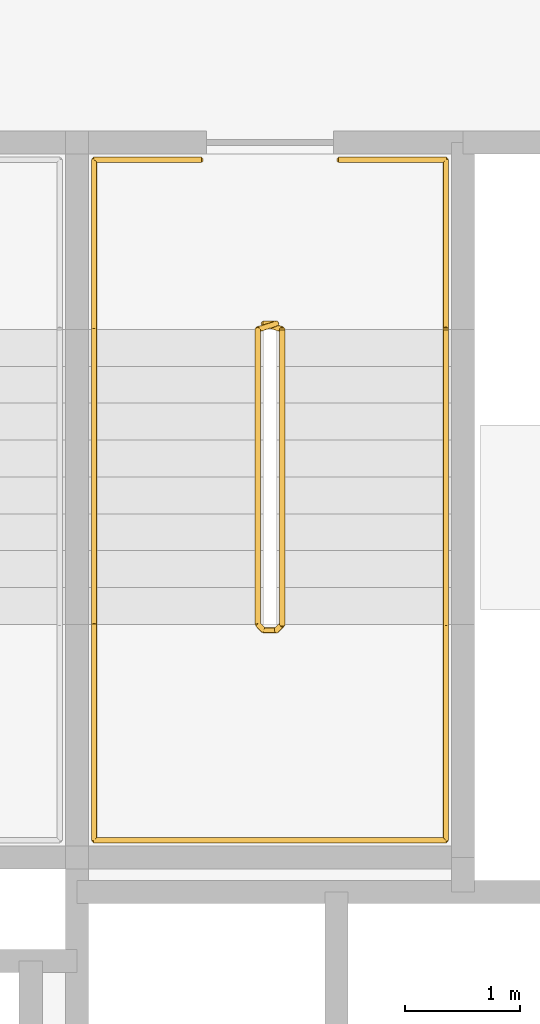
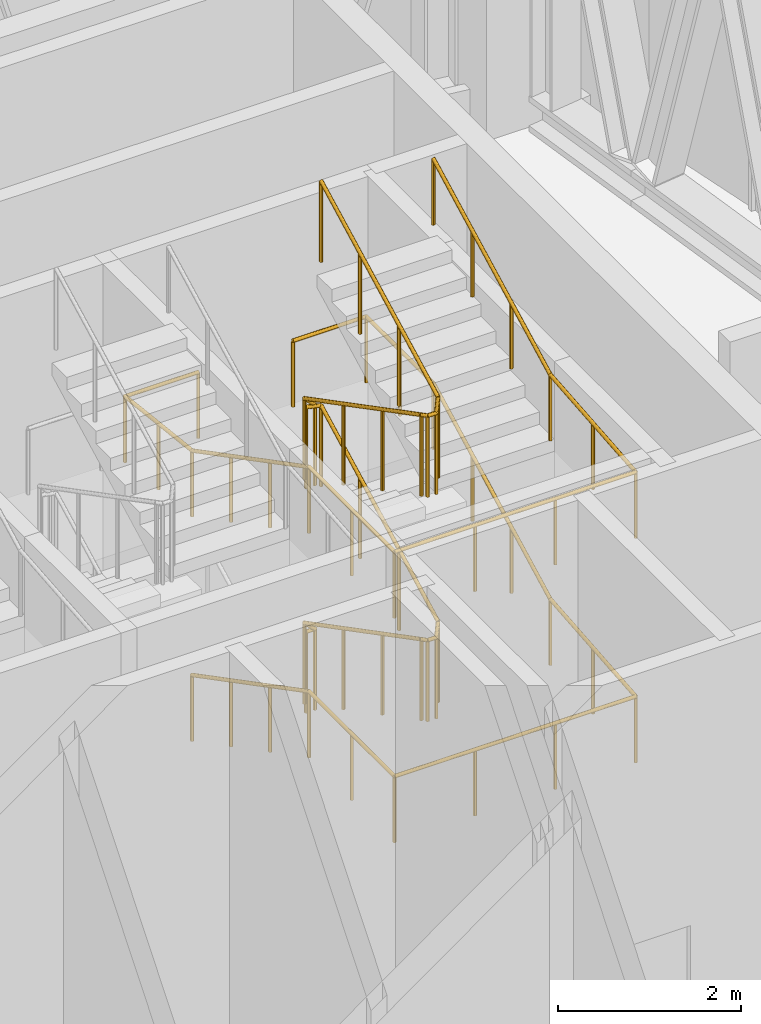
# One storey, part 14 of 14: 3 railings.
"""IFC4 building model written with IfcOpenShell, lengths in metres."""

from ifc_helpers import new_model, si_unit, direction, frame, origin, origin_2d, place, context, subcontext, project, spatial, circle, extrude, material, type_object, element, save


model = new_model("IFC4")

# Units and contexts
model_context = context("Model", 3, precision=1e-05, world=origin(), true_north=direction((0.0, 1.0)))
body_context = subcontext(model_context, "Body", "Model", "MODEL_VIEW")
ifc_project = project(units=[si_unit("LENGTHUNIT", "METRE"), si_unit("AREAUNIT", "SQUARE_METRE"), si_unit("VOLUMEUNIT", "CUBIC_METRE"), si_unit("PLANEANGLEUNIT", "RADIAN"), si_unit("MASSUNIT", "GRAM", prefix="KILO")], contexts=[model_context])

# Site, building, storey
site_placement = place(None, origin())
site = spatial("IfcSite", under=ifc_project, at=site_placement, CompositionType="ELEMENT")
building_placement = place(site_placement, origin())
building = spatial("IfcBuilding", under=site, at=building_placement, Name="Tessera Arch", CompositionType="ELEMENT")
storey_placement = place(building_placement, frame((0.0, 0.0, 295.199951171875)))
storey = spatial("IfcBuildingStorey", under=building, at=storey_placement, Name="L71", CompositionType="ELEMENT", Elevation=295.199951171875)

# Railings
ifc_material_1 = material(Name="Painted steel balustrade", Category="steel")
railing_type_1 = type_object("IfcRailingType", Name="Stair guard 1100", PredefinedType="GUARDRAIL", material=ifc_material_1)
railing_1_placement = place(storey_placement, frame((44.919921875, 43.6298828125, 0.0)))
element("IfcRailing", 1, at=railing_1_placement, inside=storey, type_object=railing_type_1, Name="L71 S1c stair guard 1", PredefinedType="GUARDRAIL", context=body_context, shape_type="SweptSolid", body=[
    extrude(circle(Radius=0.02392578125, at=origin_2d()), frame((-0.00390625, 0.0, 1.076171875), z_axis=(1.0, 0.0, 0.0), x_axis=(0.0, 1.0, 0.0)), (0.0, 0.0, 1.0), 0.1181640625),
    extrude(circle(Radius=0.02392578125, at=origin_2d()), frame((0.11279296875, 0.000732421875, 1.0732421875), z_axis=(-0.676614622933, -0.210731882562, 0.705538606814), x_axis=(0.297361876254, -0.954764847777, 0.0)), (0.0, 0.0, 1.0), 0.244384765625),
    extrude(circle(Radius=0.02392578125, at=origin_2d()), frame((-0.0498046875, -0.046142578125, 1.240966796875), z_axis=(0.0, -0.886929966286, 0.461903923888), x_axis=(1.0, 0.0, 0.0)), (0.0, 0.0, 1.0), 2.89453125),
    extrude(circle(Radius=0.02392578125, at=origin_2d()), frame((-0.052734375, -2.60693359375, 2.576171875), z_axis=(0.705375805398, -0.708833529934, 0.0), x_axis=(0.708833529934, 0.705375805398, 0.0)), (0.0, 0.0, 1.0), 0.07861328125),
    extrude(circle(Radius=0.02392578125, at=origin_2d()), frame((-0.00390625, -2.659912109375, 2.576171875), z_axis=(1.0, 0.0, 0.0), x_axis=(0.0, 1.0, 0.0)), (0.0, 0.0, 1.0), 0.1181640625),
    extrude(circle(Radius=0.02392578125, at=origin_2d()), frame((0.10888671875, -2.6611328125, 2.572265625), z_axis=(0.27628659633, 0.27628659633, 0.920506074601), x_axis=(-0.707106781187, 0.707106781187, 0.0)), (0.0, 0.0, 1.0), 0.189208984375),
    extrude(circle(Radius=0.02392578125, at=origin_2d()), frame((0.16015625, -2.613525390625, 2.740966796875), z_axis=(0.0, 0.886929966286, 0.461903923888), x_axis=(-1.0, 0.0, 0.0)), (0.0, 0.0, 1.0), 2.89453125),
    extrude(circle(Radius=0.02392578125, at=origin_2d()), frame((0.1640625, -0.051025390625, 4.076171875), z_axis=(-0.954893471113, 0.296948579431, 0.0), x_axis=(-0.296948579431, -0.954893471113, 0.0)), (0.0, 0.0, 1.0), 0.17578125),
    extrude(circle(Radius=0.02392578125, at=origin_2d()), frame((-0.00390625, 0.0, 4.076171875), z_axis=(1.0, 0.0, 0.0), x_axis=(0.0, 1.0, 0.0)), (0.0, 0.0, 1.0), 0.1181640625),
    extrude(circle(Radius=0.02392578125, at=origin_2d()), frame((0.11279296875, 0.000732421875, 4.0732421875), z_axis=(-0.676614622933, -0.210731882562, 0.705538606814), x_axis=(0.297361876254, -0.954764847777, 0.0)), (0.0, 0.0, 1.0), 0.244384765625),
    extrude(circle(Radius=0.02392578125, at=origin_2d()), frame((-0.0498046875, -0.046142578125, 4.240966796875), z_axis=(0.0, -0.886929966286, 0.461903923888), x_axis=(1.0, 0.0, 0.0)), (0.0, 0.0, 1.0), 2.89453125),
    extrude(circle(Radius=0.02392578125, at=origin_2d()), frame((-0.052734375, -2.60693359375, 5.576171875), z_axis=(0.705375805398, -0.708833529934, 0.0), x_axis=(0.708833529934, 0.705375805398, 0.0)), (0.0, 0.0, 1.0), 0.07861328125),
    extrude(circle(Radius=0.02392578125, at=origin_2d()), frame((-0.00390625, -2.659912109375, 5.576171875), z_axis=(1.0, 0.0, 0.0), x_axis=(0.0, 1.0, 0.0)), (0.0, 0.0, 1.0), 0.1181640625),
    extrude(circle(Radius=0.02392578125, at=origin_2d()), frame((0.10888671875, -2.6611328125, 5.572265625), z_axis=(0.27628659633, 0.27628659633, 0.920506074601), x_axis=(-0.707106781187, 0.707106781187, 0.0)), (0.0, 0.0, 1.0), 0.189208984375),
    extrude(circle(Radius=0.02392578125, at=origin_2d()), frame((0.16015625, -2.613525390625, 5.740966796875), z_axis=(0.0, 0.886929966286, 0.461903923888), x_axis=(-1.0, 0.0, 0.0)), (0.0, 0.0, 1.0), 2.89453125),
    extrude(circle(Radius=0.02099609375, at=origin_2d()), origin(), (0.0, 0.0, 1.0), 1.06396484375),
    extrude(circle(Radius=0.02099609375, at=origin_2d()), frame((0.110107421875, 0.0, 0.0)), (0.0, 0.0, 1.0), 1.06396484375),
    extrude(circle(Radius=0.02099609375, at=origin_2d()), frame((-0.0498046875, -0.0498046875, 0.166748046875)), (0.0, 0.0, 1.0), 1.06396484375),
    extrude(circle(Radius=0.02099609375, at=origin_2d()), frame((-0.0498046875, -0.903076171875, 0.611083984375)), (0.0, 0.0, 1.0), 1.06396484375),
    extrude(circle(Radius=0.02099609375, at=origin_2d()), frame((-0.0498046875, -1.756591796875, 1.0556640625)), (0.0, 0.0, 1.0), 1.06396484375),
    extrude(circle(Radius=0.02099609375, at=origin_2d()), frame((-0.0498046875, -2.60986328125, 1.5)), (0.0, 0.0, 1.0), 1.06396484375),
    extrude(circle(Radius=0.02099609375, at=origin_2d()), frame((0.0, -2.659912109375, 1.5)), (0.0, 0.0, 1.0), 1.06396484375),
    extrude(circle(Radius=0.02099609375, at=origin_2d()), frame((0.110107421875, -2.659912109375, 1.5)), (0.0, 0.0, 1.0), 1.06396484375),
    extrude(circle(Radius=0.02099609375, at=origin_2d()), frame((0.16015625, -2.60986328125, 1.666748046875)), (0.0, 0.0, 1.0), 1.06396484375),
    extrude(circle(Radius=0.02099609375, at=origin_2d()), frame((0.16015625, -1.756591796875, 2.111083984375)), (0.0, 0.0, 1.0), 1.06396484375),
    extrude(circle(Radius=0.02099609375, at=origin_2d()), frame((0.16015625, -0.903076171875, 2.5556640625)), (0.0, 0.0, 1.0), 1.06396484375),
    extrude(circle(Radius=0.02099609375, at=origin_2d()), frame((0.16015625, -0.0498046875, 3.0)), (0.0, 0.0, 1.0), 1.06396484375),
    extrude(circle(Radius=0.02099609375, at=origin_2d()), frame((0.0, 0.0, 3.0)), (0.0, 0.0, 1.0), 1.06396484375),
    extrude(circle(Radius=0.02099609375, at=origin_2d()), frame((0.110107421875, 0.0, 3.0)), (0.0, 0.0, 1.0), 1.06396484375),
    extrude(circle(Radius=0.02099609375, at=origin_2d()), frame((-0.0498046875, -0.0498046875, 3.166748046875)), (0.0, 0.0, 1.0), 1.06396484375),
    extrude(circle(Radius=0.02099609375, at=origin_2d()), frame((-0.0498046875, -0.903076171875, 3.611083984375)), (0.0, 0.0, 1.0), 1.06396484375),
    extrude(circle(Radius=0.02099609375, at=origin_2d()), frame((-0.0498046875, -1.756591796875, 4.0556640625)), (0.0, 0.0, 1.0), 1.06396484375),
    extrude(circle(Radius=0.02099609375, at=origin_2d()), frame((-0.0498046875, -2.60986328125, 4.5)), (0.0, 0.0, 1.0), 1.06396484375),
    extrude(circle(Radius=0.02099609375, at=origin_2d()), frame((0.0, -2.659912109375, 4.5)), (0.0, 0.0, 1.0), 1.06396484375),
    extrude(circle(Radius=0.02099609375, at=origin_2d()), frame((0.110107421875, -2.659912109375, 4.5)), (0.0, 0.0, 1.0), 1.06396484375),
    extrude(circle(Radius=0.02099609375, at=origin_2d()), frame((0.16015625, -2.60986328125, 4.666748046875)), (0.0, 0.0, 1.0), 1.06396484375),
    extrude(circle(Radius=0.02099609375, at=origin_2d()), frame((0.16015625, -1.756591796875, 5.111083984375)), (0.0, 0.0, 1.0), 1.06396484375),
    extrude(circle(Radius=0.02099609375, at=origin_2d()), frame((0.16015625, -0.903076171875, 5.5556640625)), (0.0, 0.0, 1.0), 1.06396484375),
    extrude(circle(Radius=0.02099609375, at=origin_2d()), frame((0.16015625, -0.0498046875, 6.0)), (0.0, 0.0, 1.0), 1.06396484375),
])
ifc_material_2 = material(Name="Painted steel handrail", Category="steel")
railing_type_2 = type_object("IfcRailingType", Name="Stair handrail 900", PredefinedType="HANDRAIL", material=ifc_material_2)
railing_2_placement = place(storey_placement, frame((43.449951171875, 43.580078125, 0.166748046875)))
element("IfcRailing", 2, at=railing_2_placement, inside=storey, type_object=railing_type_2, Name="L71 S1c stair handrail", PredefinedType="HANDRAIL", context=body_context, shape_type="SweptSolid", body=[
    extrude(circle(Radius=0.02392578125, at=origin_2d()), frame((0.0, 0.003662109375, 0.8740234375), z_axis=(0.0, -0.886929966286, 0.461903923888), x_axis=(1.0, 0.0, 0.0)), (0.0, 0.0, 1.0), 2.89453125),
    extrude(circle(Radius=0.02392578125, at=origin_2d()), frame((0.0, -2.55615234375, 2.208984375), z_axis=(0.0, -1.0, 0.0), x_axis=(1.0, 0.0, 0.0)), (0.0, 0.0, 1.0), 1.878173828125),
    extrude(circle(Radius=0.02392578125, at=origin_2d()), frame((-0.00390625, -4.43017578125, 2.208984375), z_axis=(1.0, 0.0, 0.0), x_axis=(0.0, 1.0, 0.0)), (0.0, 0.0, 1.0), 3.05810546875),
    extrude(circle(Radius=0.02392578125, at=origin_2d()), frame((3.050048828125, -4.43408203125, 2.208740234375), z_axis=(0.0, 0.996048393597, 0.088812147889), x_axis=(-1.0, 0.0, 0.0)), (0.0, 0.0, 1.0), 1.885498046875),
    extrude(circle(Radius=0.02392578125, at=origin_2d()), frame((3.050048828125, -2.563720703125, 2.3740234375), z_axis=(0.0, 0.886929966286, 0.461903923888), x_axis=(-1.0, 0.0, 0.0)), (0.0, 0.0, 1.0), 2.89453125),
    extrude(circle(Radius=0.02392578125, at=origin_2d()), frame((3.050048828125, -0.00390625, 3.708984375), z_axis=(0.0, 1.0, 0.0), x_axis=(-1.0, 0.0, 0.0)), (0.0, 0.0, 1.0), 1.47802734375),
    extrude(circle(Radius=0.02392578125, at=origin_2d()), frame((3.053955078125, 1.469970703125, 3.708984375), z_axis=(-1.0, 0.0, 0.0), x_axis=(0.0, -1.0, 0.0)), (0.0, 0.0, 1.0), 0.93310546875),
    extrude(circle(Radius=0.02099609375, at=origin_2d()), origin(), (0.0, 0.0, 1.0), 0.86376953125),
    extrude(circle(Radius=0.02099609375, at=origin_2d()), frame((0.0, -0.853271484375, 0.4443359375)), (0.0, 0.0, 1.0), 0.86376953125),
    extrude(circle(Radius=0.02099609375, at=origin_2d()), frame((0.0, -1.706787109375, 0.888916015625)), (0.0, 0.0, 1.0), 0.86376953125),
    extrude(circle(Radius=0.02099609375, at=origin_2d()), frame((0.0, -2.56005859375, 1.333251953125)), (0.0, 0.0, 1.0), 0.86376953125),
    extrude(circle(Radius=0.02099609375, at=origin_2d()), frame((0.0, -3.4951171875, 1.333251953125)), (0.0, 0.0, 1.0), 0.86376953125),
    extrude(circle(Radius=0.02099609375, at=origin_2d()), frame((0.0, -4.43017578125, 1.333251953125)), (0.0, 0.0, 1.0), 0.86376953125),
    extrude(circle(Radius=0.02099609375, at=origin_2d()), frame((1.0166015625, -4.43017578125, 1.333251953125)), (0.0, 0.0, 1.0), 0.86376953125),
    extrude(circle(Radius=0.02099609375, at=origin_2d()), frame((2.033447265625, -4.43017578125, 1.333251953125)), (0.0, 0.0, 1.0), 0.86376953125),
    extrude(circle(Radius=0.02099609375, at=origin_2d()), frame((3.050048828125, -4.43017578125, 1.333251953125)), (0.0, 0.0, 1.0), 0.86376953125),
    extrude(circle(Radius=0.02099609375, at=origin_2d()), frame((3.050048828125, -3.4951171875, 1.41650390625)), (0.0, 0.0, 1.0), 0.86376953125),
    extrude(circle(Radius=0.02099609375, at=origin_2d()), frame((3.050048828125, -2.56005859375, 1.5)), (0.0, 0.0, 1.0), 0.86376953125),
    extrude(circle(Radius=0.02099609375, at=origin_2d()), frame((3.050048828125, -1.706787109375, 1.9443359375)), (0.0, 0.0, 1.0), 0.86376953125),
    extrude(circle(Radius=0.02099609375, at=origin_2d()), frame((3.050048828125, -0.853271484375, 2.388916015625)), (0.0, 0.0, 1.0), 0.86376953125),
    extrude(circle(Radius=0.02099609375, at=origin_2d()), frame((3.050048828125, 0.0, 2.833251953125)), (0.0, 0.0, 1.0), 0.86376953125),
    extrude(circle(Radius=0.02099609375, at=origin_2d()), frame((3.050048828125, 0.73486328125, 2.833251953125)), (0.0, 0.0, 1.0), 0.86376953125),
    extrude(circle(Radius=0.02099609375, at=origin_2d()), frame((3.050048828125, 1.469970703125, 2.833251953125)), (0.0, 0.0, 1.0), 0.86376953125),
    extrude(circle(Radius=0.02099609375, at=origin_2d()), frame((2.125, 1.469970703125, 2.833251953125)), (0.0, 0.0, 1.0), 0.86376953125),
])
railing_3_placement = place(storey_placement, frame((44.375, 45.050048828125, 3.0)))
element("IfcRailing", 3, at=railing_3_placement, inside=storey, type_object=railing_type_2, Name="L71 S1c stair handrail 2", PredefinedType="HANDRAIL", context=body_context, shape_type="SweptSolid", body=[
    extrude(circle(Radius=0.02392578125, at=origin_2d()), frame((0.00390625, 0.0, 0.8759765625), z_axis=(-1.0, 0.0, 0.0), x_axis=(0.0, -1.0, 0.0)), (0.0, 0.0, 1.0), 0.93310546875),
    extrude(circle(Radius=0.02392578125, at=origin_2d()), frame((-0.925048828125, 0.00390625, 0.87548828125), z_axis=(0.0, -0.993627536354, 0.112713437524), x_axis=(1.0, 0.0, 0.0)), (0.0, 0.0, 1.0), 1.4873046875),
    extrude(circle(Radius=0.02392578125, at=origin_2d()), frame((-0.925048828125, -1.46630859375, 1.040771484375), z_axis=(0.0, -0.886929966286, 0.461903923888), x_axis=(1.0, 0.0, 0.0)), (0.0, 0.0, 1.0), 2.89453125),
    extrude(circle(Radius=0.02392578125, at=origin_2d()), frame((-0.925048828125, -4.026123046875, 2.3759765625), z_axis=(0.0, -1.0, 0.0), x_axis=(1.0, 0.0, 0.0)), (0.0, 0.0, 1.0), 1.878173828125),
    extrude(circle(Radius=0.02392578125, at=origin_2d()), frame((-0.928955078125, -5.900146484375, 2.3759765625), z_axis=(1.0, 0.0, 0.0), x_axis=(0.0, 1.0, 0.0)), (0.0, 0.0, 1.0), 3.05810546875),
    extrude(circle(Radius=0.02392578125, at=origin_2d()), frame((2.125, -5.904052734375, 2.37548828125), z_axis=(0.0, 0.996048393597, 0.088812147889), x_axis=(-1.0, 0.0, 0.0)), (0.0, 0.0, 1.0), 1.885498046875),
    extrude(circle(Radius=0.02392578125, at=origin_2d()), frame((2.125, -4.03369140625, 2.540771484375), z_axis=(0.0, 0.886929966286, 0.461903923888), x_axis=(-1.0, 0.0, 0.0)), (0.0, 0.0, 1.0), 2.89453125),
    extrude(circle(Radius=0.02099609375, at=origin_2d()), origin(), (0.0, 0.0, 1.0), 0.86376953125),
    extrude(circle(Radius=0.02099609375, at=origin_2d()), frame((-0.925048828125, 0.0, 0.0)), (0.0, 0.0, 1.0), 0.86376953125),
    extrude(circle(Radius=0.02099609375, at=origin_2d()), frame((-0.925048828125, -0.73486328125, 0.08349609375)), (0.0, 0.0, 1.0), 0.86376953125),
    extrude(circle(Radius=0.02099609375, at=origin_2d()), frame((-0.925048828125, -1.469970703125, 0.166748046875)), (0.0, 0.0, 1.0), 0.86376953125),
    extrude(circle(Radius=0.02099609375, at=origin_2d()), frame((-0.925048828125, -2.3232421875, 0.611083984375)), (0.0, 0.0, 1.0), 0.86376953125),
    extrude(circle(Radius=0.02099609375, at=origin_2d()), frame((-0.925048828125, -3.1767578125, 1.0556640625)), (0.0, 0.0, 1.0), 0.86376953125),
    extrude(circle(Radius=0.02099609375, at=origin_2d()), frame((-0.925048828125, -4.030029296875, 1.5)), (0.0, 0.0, 1.0), 0.86376953125),
    extrude(circle(Radius=0.02099609375, at=origin_2d()), frame((-0.925048828125, -4.965087890625, 1.5)), (0.0, 0.0, 1.0), 0.86376953125),
    extrude(circle(Radius=0.02099609375, at=origin_2d()), frame((-0.925048828125, -5.900146484375, 1.5)), (0.0, 0.0, 1.0), 0.86376953125),
    extrude(circle(Radius=0.02099609375, at=origin_2d()), frame((0.091552734375, -5.900146484375, 1.5)), (0.0, 0.0, 1.0), 0.86376953125),
    extrude(circle(Radius=0.02099609375, at=origin_2d()), frame((1.1083984375, -5.900146484375, 1.5)), (0.0, 0.0, 1.0), 0.86376953125),
    extrude(circle(Radius=0.02099609375, at=origin_2d()), frame((2.125, -5.900146484375, 1.5)), (0.0, 0.0, 1.0), 0.86376953125),
    extrude(circle(Radius=0.02099609375, at=origin_2d()), frame((2.125, -4.965087890625, 1.58349609375)), (0.0, 0.0, 1.0), 0.86376953125),
    extrude(circle(Radius=0.02099609375, at=origin_2d()), frame((2.125, -4.030029296875, 1.666748046875)), (0.0, 0.0, 1.0), 0.86376953125),
    extrude(circle(Radius=0.02099609375, at=origin_2d()), frame((2.125, -3.1767578125, 2.111083984375)), (0.0, 0.0, 1.0), 0.86376953125),
    extrude(circle(Radius=0.02099609375, at=origin_2d()), frame((2.125, -2.3232421875, 2.5556640625)), (0.0, 0.0, 1.0), 0.86376953125),
    extrude(circle(Radius=0.02099609375, at=origin_2d()), frame((2.125, -1.469970703125, 3.0)), (0.0, 0.0, 1.0), 0.86376953125),
])

save(model, "model.ifc")
